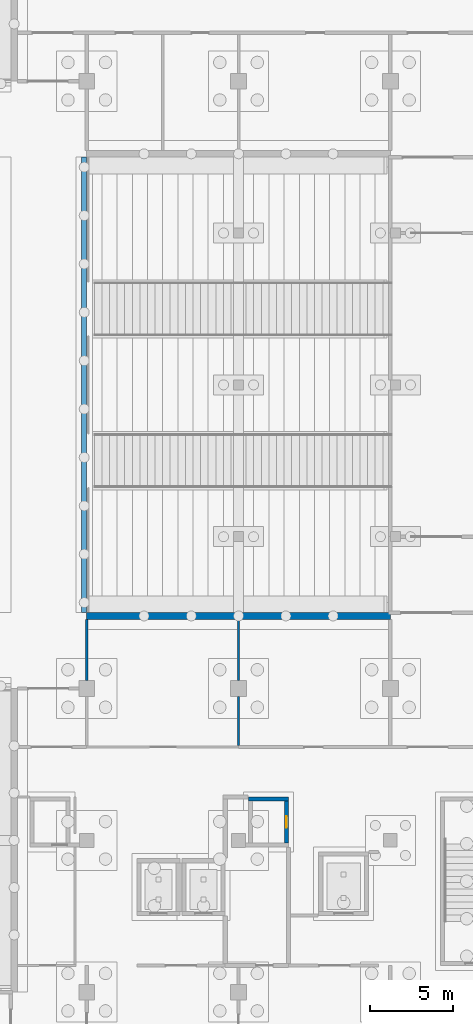
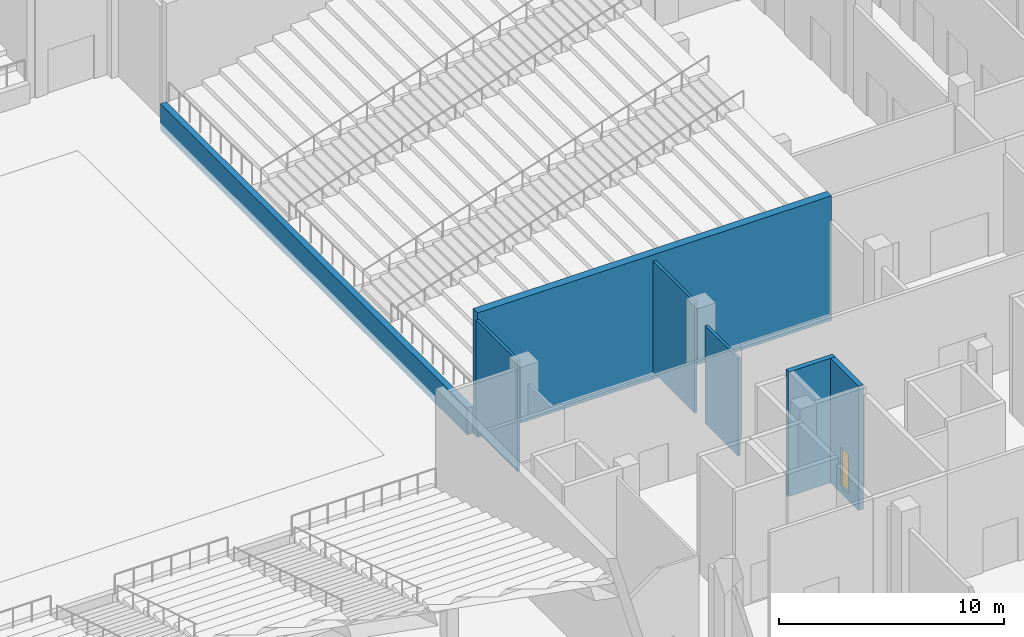
# One storey, part 75 of 129: 7 walls, 1 door, 1 opening.
"""IFC4 building model written with IfcOpenShell, lengths in metres."""

from ifc_helpers import new_model, si_unit, direction, frame, frame_2d, origin, place, context, subcontext, project, spatial, rectangle, extrude, material, layer, layer_set, type_object, element, fill, save


model = new_model("IFC4")

# Units and contexts
model_context = context("Model", 3, precision=1e-05, world=origin(), true_north=direction((0.0, 1.0)))
body_context = subcontext(model_context, "Body", "Model", "MODEL_VIEW")
ifc_project = project(units=[si_unit("LENGTHUNIT", "METRE"), si_unit("AREAUNIT", "SQUARE_METRE"), si_unit("VOLUMEUNIT", "CUBIC_METRE"), si_unit("PLANEANGLEUNIT", "RADIAN"), si_unit("MASSUNIT", "GRAM", prefix="KILO")], contexts=[model_context])

# Site, building, storey
site_placement = place(None, origin())
site = spatial("IfcSite", under=ifc_project, at=site_placement, CompositionType="ELEMENT")
building_placement = place(site_placement, origin())
building = spatial("IfcBuilding", under=site, at=building_placement, Name="Shirokan Park Arena", CompositionType="ELEMENT")
storey_placement = place(building_placement, origin())
storey = spatial("IfcBuildingStorey", under=building, at=storey_placement, Name="L00", CompositionType="ELEMENT", Elevation=0.0)

# Walls
ifc_material_1 = material(Name="Ceramic tile")
ifc_layer_1 = layer(ifc_material_1, 0.010009765625, Name="Ceramic tile")
ifc_material_2 = material(Name="Render")
ifc_layer_2 = layer(ifc_material_2, 0.010009765625, Name="Render")
ifc_material_3 = material(Name="Concrete blockwork", Category="masonry")
ifc_layer_3 = layer(ifc_material_3, 0.10009765625, Name="Concrete blockwork 100")
ifc_layer_4 = layer(ifc_material_2, 0.010009765625, Name="Render")
ifc_layer_5 = layer(ifc_material_1, 0.010009765625, Name="Ceramic tile")
ifc_layer_set_1 = layer_set([ifc_layer_1, ifc_layer_2, ifc_layer_3, ifc_layer_4, ifc_layer_5], Name="Ceramic tile + Render + Concrete blockwork 100")
wall_type_1 = type_object("IfcWallType", Name="Kitchen wall 140", PredefinedType="SOLIDWALL", material=ifc_layer_set_1)
wall_1_placement = place(storey_placement, frame((109.199951171875, 36.875, 0.0), z_axis=(0.0, 0.0, 1.0), x_axis=(0.0, 1.0, 0.0)))
element("IfcWall", 1, at=wall_1_placement, inside=storey, type_object=wall_type_1, Name="Kitchen wall 140 L00", PredefinedType="SOLIDWALL", context=body_context, shape_type="SweptSolid", body=[
    extrude(rectangle(XDim=3.675048828125, YDim=0.139892578125, at=frame_2d((1.83740234375, 0.0))), origin(), (0.0, 0.0, 1.0), 6.02001953125),
])
wall_2_placement = place(storey_placement, frame((118.300048828125, 33.0, 0.0), z_axis=(0.0, 0.0, 1.0), x_axis=(0.0, 1.0, 0.0)))
element("IfcWall", 2, at=wall_2_placement, inside=storey, type_object=wall_type_1, Name="Kitchen wall 140 L00", PredefinedType="SOLIDWALL", context=body_context, shape_type="SweptSolid", body=[
    extrude(rectangle(XDim=2.925048828125, YDim=0.139892578125, at=frame_2d((1.46240234375, 0.0))), origin(), (0.0, 0.0, 1.0), 5.320068359375),
])
wall_3_placement = place(storey_placement, frame((118.300048828125, 36.875, 0.0), z_axis=(0.0, 0.0, 1.0), x_axis=(0.0, 1.0, 0.0)))
element("IfcWall", 3, at=wall_3_placement, inside=storey, type_object=wall_type_1, Name="Kitchen wall 140 L00", PredefinedType="SOLIDWALL", context=body_context, shape_type="SweptSolid", body=[
    extrude(rectangle(XDim=3.675048828125, YDim=0.139892578125, at=frame_2d((1.83740234375, 0.0))), origin(), (0.0, 0.0, 1.0), 6.02001953125),
])
ifc_material_4 = material(Name="Concrete C35", Category="concrete")
ifc_layer_6 = layer(ifc_material_4, 0.39990234375)
ifc_layer_set_2 = layer_set([ifc_layer_6], Name="Concrete C35 400 mm")
wall_type_2 = type_object("IfcWallType", Name="RC flank wall 400", PredefinedType="SHEAR", material=ifc_layer_set_2)
wall_4_placement = place(storey_placement, frame((109.199951171875, 40.75, -0.39990234375), z_axis=(0.0, 0.0, 1.0), x_axis=(1.0, 0.0, 0.0)))
element("IfcWall", 4, at=wall_4_placement, inside=storey, type_object=wall_type_2, Name="Flank wall E1 L00", PredefinedType="SHEAR", context=body_context, shape_type="SweptSolid", body=[
    extrude(rectangle(XDim=18.199951171875, YDim=0.39990234375, at=frame_2d((9.10009765625, 0.0))), origin(), (0.0, 0.0, 1.0), 6.77001953125),
])
ifc_layer_7 = layer(ifc_material_4, 0.300048828125)
ifc_layer_set_3 = layer_set([ifc_layer_7], Name="Concrete C35 300 mm")
wall_type_3 = type_object("IfcWallType", Name="RC front wall 300", PredefinedType="SOLIDWALL", material=ifc_layer_set_3)
wall_5_placement = place(storey_placement, frame((109.050048828125, 40.949951171875, -0.39990234375), z_axis=(0.0, 0.0, 1.0), x_axis=(0.0, 1.0, 0.0)))
element("IfcWall", 5, at=wall_5_placement, inside=storey, type_object=wall_type_3, Name="Front wall E", PredefinedType="SOLIDWALL", context=body_context, shape_type="SweptSolid", body=[
    extrude(rectangle(XDim=27.300048828125, YDim=0.300048828125, at=frame_2d((13.64990234375, 0.0))), origin(), (0.0, 0.0, 1.0), 1.449951171875),
])
ifc_material_5 = material(Name="Concrete C40/50", Category="concrete")
ifc_layer_8 = layer(ifc_material_5, 0.25)
ifc_layer_set_4 = layer_set([ifc_layer_8], Name="Concrete C40/50 250 mm")
wall_type_4 = type_object("IfcWallType", Name="RC shear wall 250", PredefinedType="SHEAR", material=ifc_layer_set_4)
wall_6_placement = place(storey_placement, frame((121.300048828125, 29.77490234375, -0.39990234375), z_axis=(0.0, 0.0, 1.0), x_axis=(-1.0, 0.0, 0.0)))
element("IfcWall", 6, at=wall_6_placement, inside=storey, type_object=wall_type_4, Name="Shaft wall Services Riser 2.2 N L00", PredefinedType="SHEAR", context=body_context, shape_type="SweptSolid", body=[
    extrude(rectangle(XDim=2.400146484375, YDim=0.25, at=frame_2d((1.2001953125, 0.0))), origin(), (0.0, 0.0, 1.0), 6.77001953125),
])

# Wall, opening, door
wall_7_placement = place(storey_placement, frame((121.175048828125, 29.64990234375, -0.39990234375), z_axis=(0.0, 0.0, 1.0), x_axis=(0.0, -1.0, 0.0)))
wall_7 = element("IfcWall", 7, at=wall_7_placement, inside=storey, type_object=wall_type_4, Name="Shaft wall Services Riser 2.2 E L00", PredefinedType="SHEAR", context=body_context, shape_type="SweptSolid", body=[
    extrude(rectangle(XDim=2.5, YDim=0.25, at=frame_2d((1.25, 0.0))), origin(), (0.0, 0.0, 1.0), 6.77001953125),
])
opening_placement = place(wall_7_placement, frame((0.89990234375, 0.0, 0.39990234375)))
opening = element("IfcOpeningElement", 8, at=opening_placement, cuts=wall_7, Name="Opening D-0168", PredefinedType="OPENING", context=body_context, shape_type="SweptSolid", body=[
    extrude(rectangle(XDim=0.699951171875, YDim=2.10009765625, at=frame_2d((0.35009765625, 1.050048828125))), frame((0.0, 0.135009765625, 0.0), z_axis=(0.0, -1.0, 0.0), x_axis=(1.0, 0.0, 0.0)), (0.0, 0.0, 1.0), 0.27001953125),
])
ifc_material_6 = material(Name="Steel door set, fire resisting", Category="steel")
door_type = type_object("IfcDoorType", Name="Mechanical riser door 700 x 2100", OperationType="SINGLE_SWING_LEFT", PredefinedType="DOOR", material=ifc_material_6)
door_placement = place(opening_placement, origin())
door = element("IfcDoor", 9, at=door_placement, inside=storey, type_object=door_type, Name="Riser access door Services Riser 2.2 D-0168", OperationType="SINGLE_SWING_RIGHT", OverallHeight=2.10009765625, OverallWidth=0.699951171875, PredefinedType="DOOR", context=body_context, shape_type="SweptSolid", body=[
    extrude(rectangle(XDim=0.699951171875, YDim=2.10009765625, at=frame_2d((0.35009765625, 1.050048828125))), frame((0.0, 0.02490234375, 0.0), z_axis=(0.0, -1.0, 0.0), x_axis=(1.0, 0.0, 0.0)), (0.0, 0.0, 1.0), 0.050048828125),
])
fill(opening, door)

save(model, "model.ifc")
